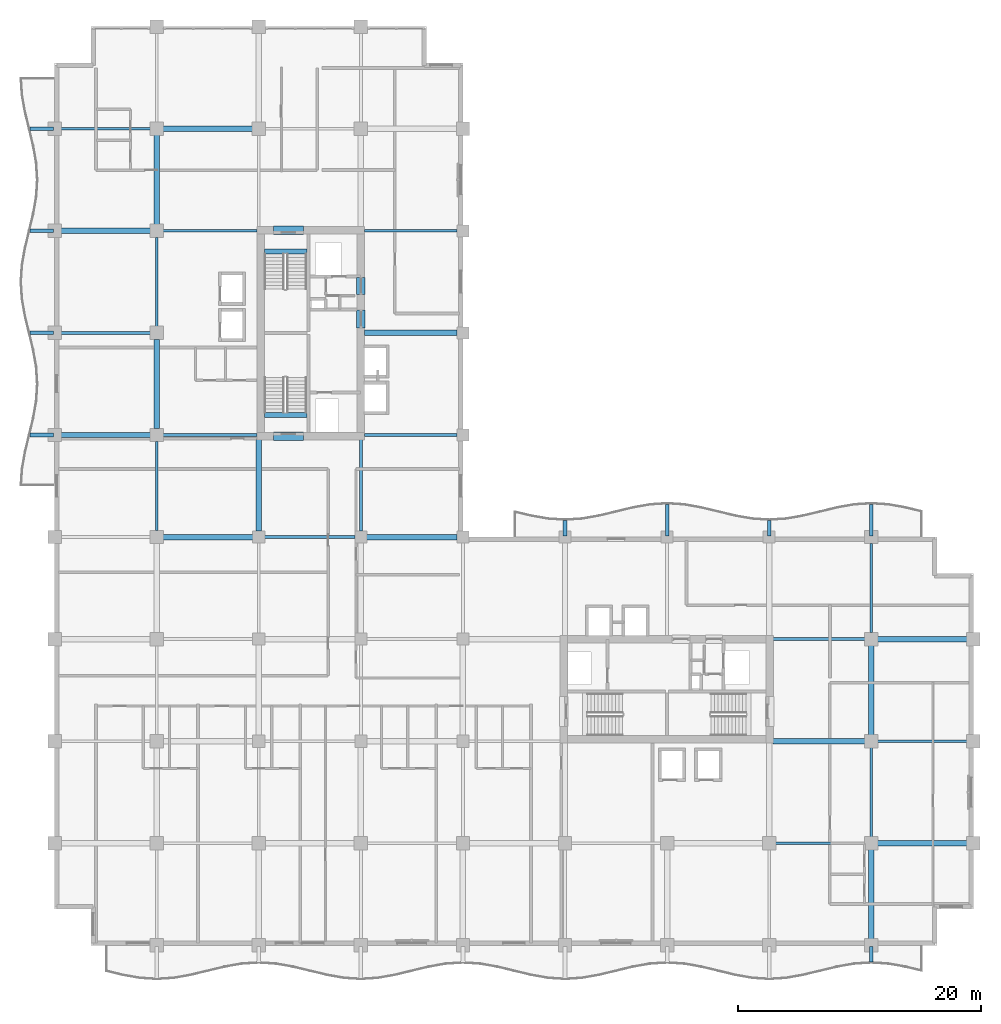
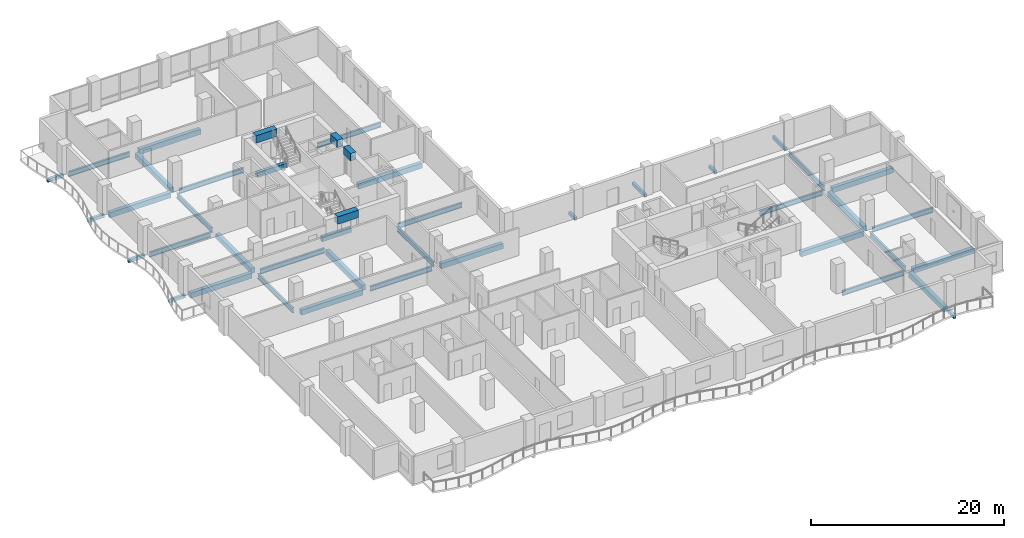
# One storey, part 2 of 18: 44 beams.
"""IFC4 building model written with IfcOpenShell, lengths in metres."""

from ifc_helpers import new_model, si_unit, direction, frame, origin, origin_2d, place, context, subcontext, project, spatial, rectangle, i_section, extrude, material, material_profile, profile_set, type_object, element, save


model = new_model("IFC4")

# Units and contexts
model_context = context("Model", 3, precision=1e-05, world=origin(), true_north=direction((0.0, 1.0)))
body_context = subcontext(model_context, "Body", "Model", "MODEL_VIEW")
ifc_project = project(units=[si_unit("LENGTHUNIT", "METRE"), si_unit("AREAUNIT", "SQUARE_METRE"), si_unit("VOLUMEUNIT", "CUBIC_METRE"), si_unit("PLANEANGLEUNIT", "RADIAN"), si_unit("MASSUNIT", "GRAM", prefix="KILO")], contexts=[model_context])

# Site, building, storey
site_placement = place(None, origin())
site = spatial("IfcSite", under=ifc_project, at=site_placement, CompositionType="ELEMENT")
building_placement = place(site_placement, origin())
building = spatial("IfcBuilding", under=site, at=building_placement, Name="Koriwani Terraces Tower", CompositionType="ELEMENT")
storey_placement = place(building_placement, frame((0.0, 0.0, 205.0)))
storey = spatial("IfcBuildingStorey", under=building, at=storey_placement, Name="L50", CompositionType="ELEMENT", Elevation=205.0)

# Beams
ifc_material_1 = material(Name="Concrete C40/50", Category="concrete")
ifc_material_profile_1 = material_profile(ifc_material_1, rectangle(XDim=0.300048828125, YDim=0.39990234375, at=origin_2d()), Name="Concrete C40/50", Category="LoadBearing")
ifc_profile_set_1 = profile_set([ifc_material_profile_1], Name="Concrete C40/50")
beam_type_1 = type_object("IfcBeamType", Name="BEAM_RC_BALCONY_RIB_300X400", PredefinedType="JOIST", material=ifc_profile_set_1)
beam_1_placement = place(storey_placement, frame((67.199951171875, -1.35009765625, -0.429931640625), z_axis=(0.0, 1.0, 0.0), x_axis=(-1.0, 0.0, 0.0)))
element("IfcBeam", 1, at=beam_1_placement, inside=storey, type_object=beam_type_1, Name="L50 Balcony Bracket Rib S-8", PredefinedType="JOIST", context=body_context, shape_type="SweptSolid", body=[
    extrude(rectangle(XDim=0.300048828125, YDim=0.39990234375, at=origin_2d()), origin(), (0.0, 0.0, 1.0), 1.25),
])
for number, where, z_axis, x_axis, name in (
    (2, (-2.02490234375, 42.0, -0.429931640625), (1.0, 0.0, 0.0), (0.0, 1.0, 0.0), "L50 Balcony Bracket Rib W-1"),
    (3, (-2.02490234375, 50.39990234375, -0.429931640625), (1.0, 0.0, 0.0), (0.0, 1.0, 0.0), "L50 Balcony Bracket Rib W-2"),
    (4, (-2.02490234375, 58.800048828125, -0.429931640625), (1.0, 0.0, 0.0), (0.0, 1.0, 0.0), "L50 Balcony Bracket Rib W-3"),
    (5, (-2.02490234375, 67.199951171875, -0.429931640625), (1.0, 0.0, 0.0), (0.0, 1.0, 0.0), "L50 Balcony Bracket Rib W-4"),
):
    element("IfcBeam", number, at=place(storey_placement, frame(where, z_axis=z_axis, x_axis=x_axis)), inside=storey, type_object=beam_type_1, Name=name, PredefinedType="JOIST", context=body_context, shape_type="SweptSolid", body=[
        extrude(rectangle(XDim=0.300048828125, YDim=0.39990234375, at=origin_2d()), origin(), (0.0, 0.0, 1.0), 1.9248046875),
    ])
beam_2_placement = place(storey_placement, frame((42.0, 33.699951171875, -0.429931640625), z_axis=(0.0, 1.0, 0.0), x_axis=(-1.0, 0.0, 0.0)))
element("IfcBeam", 6, at=beam_2_placement, inside=storey, type_object=beam_type_1, Name="L50 Balcony Bracket Rib NE-1", PredefinedType="JOIST", context=body_context, shape_type="SweptSolid", body=[
    extrude(rectangle(XDim=0.300048828125, YDim=0.39990234375, at=origin_2d()), origin(), (0.0, 0.0, 1.0), 1.25),
])
beam_3_placement = place(storey_placement, frame((50.39990234375, 33.699951171875, -0.429931640625), z_axis=(0.0, 1.0, 0.0), x_axis=(-1.0, 0.0, 0.0)))
element("IfcBeam", 7, at=beam_3_placement, inside=storey, type_object=beam_type_1, Name="L50 Balcony Bracket Rib NE-2", PredefinedType="JOIST", context=body_context, shape_type="SweptSolid", body=[
    extrude(rectangle(XDim=0.300048828125, YDim=0.39990234375, at=origin_2d()), origin(), (0.0, 0.0, 1.0), 2.60009765625),
])
beam_4_placement = place(storey_placement, frame((58.800048828125, 33.699951171875, -0.429931640625), z_axis=(0.0, 1.0, 0.0), x_axis=(-1.0, 0.0, 0.0)))
element("IfcBeam", 8, at=beam_4_placement, inside=storey, type_object=beam_type_1, Name="L50 Balcony Bracket Rib NE-3", PredefinedType="JOIST", context=body_context, shape_type="SweptSolid", body=[
    extrude(rectangle(XDim=0.300048828125, YDim=0.39990234375, at=origin_2d()), origin(), (0.0, 0.0, 1.0), 1.25),
])
beam_5_placement = place(storey_placement, frame((67.199951171875, 33.699951171875, -0.429931640625), z_axis=(0.0, 1.0, 0.0), x_axis=(-1.0, 0.0, 0.0)))
element("IfcBeam", 9, at=beam_5_placement, inside=storey, type_object=beam_type_1, Name="L50 Balcony Bracket Rib NE-4", PredefinedType="JOIST", context=body_context, shape_type="SweptSolid", body=[
    extrude(rectangle(XDim=0.300048828125, YDim=0.39990234375, at=origin_2d()), origin(), (0.0, 0.0, 1.0), 2.60009765625),
])
ifc_material_2 = material(Name="Concrete C60/75", Category="concrete")
ifc_material_profile_2 = material_profile(ifc_material_2, rectangle(XDim=0.699951171875, YDim=0.949951171875, at=origin_2d()), Name="Concrete C60/75", Category="LoadBearing")
ifc_profile_set_2 = profile_set([ifc_material_profile_2], Name="Concrete C60/75")
beam_type_2 = type_object("IfcBeamType", Name="BEAM_RC_COUPLING_700X950", PredefinedType="LINTEL", material=ifc_profile_set_2)
beam_6_placement = place(storey_placement, frame((25.199951171875, 50.800048828125, 2.9951171875), z_axis=(0.0, 1.0, 0.0), x_axis=(-1.0, 0.0, 0.0)))
element("IfcBeam", 10, at=beam_6_placement, inside=storey, type_object=beam_type_2, Name="L50 Core Coupling Lintel Beam WE1", PredefinedType="LINTEL", context=body_context, shape_type="SweptSolid", body=[
    extrude(rectangle(XDim=0.699951171875, YDim=0.949951171875, at=origin_2d()), origin(), (0.0, 0.0, 1.0), 1.47998046875),
])
beam_7_placement = place(storey_placement, frame((25.199951171875, 53.550048828125, 2.9951171875), z_axis=(0.0, 1.0, 0.0), x_axis=(-1.0, 0.0, 0.0)))
element("IfcBeam", 11, at=beam_7_placement, inside=storey, type_object=beam_type_2, Name="L50 Core Coupling Lintel Beam WE2", PredefinedType="LINTEL", context=body_context, shape_type="SweptSolid", body=[
    extrude(rectangle(XDim=0.699951171875, YDim=0.949951171875, at=origin_2d()), origin(), (0.0, 0.0, 1.0), 1.39990234375),
])
for number, where, z_axis, x_axis, name in (
    (12, (18.0, 41.89990234375, 2.9951171875), (1.0, 0.0, 0.0), (0.0, 1.0, 0.0), "L50 Core Coupling Lintel Beam WS"),
    (13, (18.0, 58.85009765625, 2.9951171875), (1.0, 0.0, 0.0), (0.0, 1.0, 0.0), "L50 Core Coupling Lintel Beam WN"),
):
    element("IfcBeam", number, at=place(storey_placement, frame(where, z_axis=z_axis, x_axis=x_axis)), inside=storey, type_object=beam_type_2, Name=name, PredefinedType="LINTEL", context=body_context, shape_type="SweptSolid", body=[
        extrude(rectangle(XDim=0.699951171875, YDim=0.949951171875, at=origin_2d()), origin(), (0.0, 0.0, 1.0), 2.5),
    ])
ifc_material_profile_3 = material_profile(ifc_material_1, rectangle(XDim=0.39990234375, YDim=0.60009765625, at=origin_2d()), Name="Concrete C40/50", Category="LoadBearing")
ifc_profile_set_3 = profile_set([ifc_material_profile_3], Name="Concrete C40/50")
beam_type_3 = type_object("IfcBeamType", Name="BEAM_RC_GRID_400X600", PredefinedType="BEAM", material=ifc_profile_set_3)
for number, where, z_axis, x_axis, name in (
    (14, (17.25, 43.655029296875, -0.300048828125), (1.0, 0.0, 0.0), (0.0, 1.0, 0.0), "L50 Stairwell Header Trimmer Beam ST-W1"),
    (15, (17.25, 57.094970703125, -0.300048828125), (1.0, 0.0, 0.0), (0.0, 1.0, 0.0), "L50 Stairwell Header Trimmer Beam ST-W2"),
):
    element("IfcBeam", number, at=place(storey_placement, frame(where, z_axis=z_axis, x_axis=x_axis)), inside=storey, type_object=beam_type_3, Name=name, PredefinedType="BEAM", context=body_context, shape_type="SweptSolid", body=[
        extrude(rectangle(XDim=0.39990234375, YDim=0.60009765625, at=origin_2d()), origin(), (0.0, 0.0, 1.0), 3.5),
    ])
ifc_material_3 = material(Name="Concrete C50/60", Category="concrete")
ifc_material_profile_4 = material_profile(ifc_material_3, rectangle(XDim=0.449951171875, YDim=0.64990234375, at=origin_2d()), Name="Concrete C50/60", Category="LoadBearing")
ifc_profile_set_4 = profile_set([ifc_material_profile_4], Name="Concrete C50/60")
beam_type_4 = type_object("IfcBeamType", Name="BEAM_RC_GRID_450X650", PredefinedType="BEAM", material=ifc_profile_set_4)
beam_8_placement = place(storey_placement, frame((67.72998046875, 8.39990234375, -0.554931640625), z_axis=(1.0, 0.0, 0.0), x_axis=(0.0, 1.0, 0.0)))
element("IfcBeam", 16, at=beam_8_placement, inside=storey, type_object=beam_type_4, Name="L50 Grid Beam B (67.2-75.6m)", PredefinedType="BEAM", context=body_context, shape_type="SweptSolid", body=[
    extrude(rectangle(XDim=0.449951171875, YDim=0.64990234375, at=origin_2d()), origin(), (0.0, 0.0, 1.0), 7.340087890625),
])
beam_9_placement = place(storey_placement, frame((59.1298828125, 16.800048828125, -0.554931640625), z_axis=(1.0, 0.0, 0.0), x_axis=(0.0, 1.0, 0.0)))
element("IfcBeam", 17, at=beam_9_placement, inside=storey, type_object=beam_type_4, Name="L50 Grid Beam C (58.8-67.2m)", PredefinedType="BEAM", context=body_context, shape_type="SweptSolid", body=[
    extrude(rectangle(XDim=0.449951171875, YDim=0.64990234375, at=origin_2d()), origin(), (0.0, 0.0, 1.0), 7.5400390625),
])
beam_10_placement = place(storey_placement, frame((67.72998046875, 25.199951171875, -0.554931640625), z_axis=(1.0, 0.0, 0.0), x_axis=(0.0, 1.0, 0.0)))
element("IfcBeam", 18, at=beam_10_placement, inside=storey, type_object=beam_type_4, Name="L50 Grid Beam D (67.2-75.6m)", PredefinedType="BEAM", context=body_context, shape_type="SweptSolid", body=[
    extrude(rectangle(XDim=0.449951171875, YDim=0.64990234375, at=origin_2d()), origin(), (0.0, 0.0, 1.0), 7.340087890625),
])
beam_11_placement = place(storey_placement, frame((8.929931640625, 33.60009765625, -0.554931640625), z_axis=(1.0, 0.0, 0.0), x_axis=(0.0, 1.0, 0.0)))
element("IfcBeam", 19, at=beam_11_placement, inside=storey, type_object=beam_type_4, Name="L50 Grid Beam E (8.4-16.8m)", PredefinedType="BEAM", context=body_context, shape_type="SweptSolid", body=[
    extrude(rectangle(XDim=0.449951171875, YDim=0.64990234375, at=origin_2d()), origin(), (0.0, 0.0, 1.0), 7.39013671875),
])
beam_12_placement = place(storey_placement, frame((25.679931640625, 33.60009765625, -0.554931640625), z_axis=(1.0, 0.0, 0.0), x_axis=(0.0, 1.0, 0.0)))
element("IfcBeam", 20, at=beam_12_placement, inside=storey, type_object=beam_type_4, Name="L50 Grid Beam E (25.2-33.6m)", PredefinedType="BEAM", context=body_context, shape_type="SweptSolid", body=[
    extrude(rectangle(XDim=0.449951171875, YDim=0.64990234375, at=origin_2d()), origin(), (0.0, 0.0, 1.0), 7.440185546875),
])
beam_13_placement = place(storey_placement, frame((0.530029296875, 42.0, -0.554931640625), z_axis=(1.0, 0.0, 0.0), x_axis=(0.0, 1.0, 0.0)))
element("IfcBeam", 21, at=beam_13_placement, inside=storey, type_object=beam_type_4, Name="L50 Grid Beam F (0.0-8.4m)", PredefinedType="BEAM", context=body_context, shape_type="SweptSolid", body=[
    extrude(rectangle(XDim=0.449951171875, YDim=0.64990234375, at=origin_2d()), origin(), (0.0, 0.0, 1.0), 7.340087890625),
])
beam_14_placement = place(storey_placement, frame((25.47998046875, 50.39990234375, -0.554931640625), z_axis=(1.0, 0.0, 0.0), x_axis=(0.0, 1.0, 0.0)))
element("IfcBeam", 22, at=beam_14_placement, inside=storey, type_object=beam_type_4, Name="L50 Grid Beam G (25.2-33.6m)", PredefinedType="BEAM", context=body_context, shape_type="SweptSolid", body=[
    extrude(rectangle(XDim=0.449951171875, YDim=0.64990234375, at=origin_2d()), origin(), (0.0, 0.0, 1.0), 7.64013671875),
])
for number, where, z_axis, x_axis, name in (
    (23, (0.530029296875, 58.800048828125, -0.554931640625), (1.0, 0.0, 0.0), (0.0, 1.0, 0.0), "L50 Grid Beam H (0.0-8.4m)"),
    (24, (8.929931640625, 67.199951171875, -0.554931640625), (1.0, 0.0, 0.0), (0.0, 1.0, 0.0), "L50 Grid Beam I (8.4-16.8m)"),
    (25, (8.39990234375, 42.530029296875, -0.554931640625), (0.0, 1.0, 0.0), (-1.0, 0.0, 0.0), "L50 Grid Beam 2 (42.0-50.4m)"),
):
    element("IfcBeam", number, at=place(storey_placement, frame(where, z_axis=z_axis, x_axis=x_axis)), inside=storey, type_object=beam_type_4, Name=name, PredefinedType="BEAM", context=body_context, shape_type="SweptSolid", body=[
        extrude(rectangle(XDim=0.449951171875, YDim=0.64990234375, at=origin_2d()), origin(), (0.0, 0.0, 1.0), 7.340087890625),
    ])
beam_15_placement = place(storey_placement, frame((8.39990234375, 59.330078125, -0.554931640625), z_axis=(0.0, 1.0, 0.0), x_axis=(-1.0, 0.0, 0.0)))
element("IfcBeam", 26, at=beam_15_placement, inside=storey, type_object=beam_type_4, Name="L50 Grid Beam 2 (58.8-67.2m)", PredefinedType="BEAM", context=body_context, shape_type="SweptSolid", body=[
    extrude(rectangle(XDim=0.449951171875, YDim=0.64990234375, at=origin_2d()), origin(), (0.0, 0.0, 1.0), 7.33984375),
])
beam_16_placement = place(storey_placement, frame((16.800048828125, 34.080078125, -0.554931640625), z_axis=(0.0, 1.0, 0.0), x_axis=(-1.0, 0.0, 0.0)))
element("IfcBeam", 27, at=beam_16_placement, inside=storey, type_object=beam_type_4, Name="L50 Grid Beam 3 (33.6-42.0m)", PredefinedType="BEAM", context=body_context, shape_type="SweptSolid", body=[
    extrude(rectangle(XDim=0.449951171875, YDim=0.64990234375, at=origin_2d()), origin(), (0.0, 0.0, 1.0), 7.5400390625),
])
beam_17_placement = place(storey_placement, frame((67.199951171875, 0.530029296875, -0.554931640625), z_axis=(0.0, 1.0, 0.0), x_axis=(-1.0, 0.0, 0.0)))
element("IfcBeam", 28, at=beam_17_placement, inside=storey, type_object=beam_type_4, Name="L50 Grid Beam 9 (0.0-8.4m)", PredefinedType="BEAM", context=body_context, shape_type="SweptSolid", body=[
    extrude(rectangle(XDim=0.449951171875, YDim=0.64990234375, at=origin_2d()), origin(), (0.0, 0.0, 1.0), 7.340087890625),
])
beam_18_placement = place(storey_placement, frame((67.199951171875, 17.330078125, -0.554931640625), z_axis=(0.0, 1.0, 0.0), x_axis=(-1.0, 0.0, 0.0)))
element("IfcBeam", 29, at=beam_18_placement, inside=storey, type_object=beam_type_4, Name="L50 Grid Beam 9 (16.8-25.2m)", PredefinedType="BEAM", context=body_context, shape_type="SweptSolid", body=[
    extrude(rectangle(XDim=0.449951171875, YDim=0.64990234375, at=origin_2d()), origin(), (0.0, 0.0, 1.0), 7.33984375),
])
ifc_material_4 = material(Name="Steel ASTM A572 Grade 50", Category="steel")
ifc_material_profile_5 = material_profile(ifc_material_4, i_section(OverallWidth=0.23095703125, OverallDepth=0.616943359375, WebThickness=0.015380859375, FlangeThickness=0.0244140625, at=origin_2d()), Name="Steel ASTM A572 Grade 50", Category="LoadBearing")
ifc_profile_set_5 = profile_set([ifc_material_profile_5], Name="Steel ASTM A572 Grade 50")
beam_type_5 = type_object("IfcBeamType", Name="STEEL_BEAM_W610X195", PredefinedType="BEAM", material=ifc_profile_set_5)
beam_19_placement = place(storey_placement, frame((59.330078125, 8.39990234375, -0.53857421875), z_axis=(1.0, 0.0, 0.0), x_axis=(0.0, 1.0, 0.0)))
element("IfcBeam", 30, at=beam_19_placement, inside=storey, type_object=beam_type_5, Name="L50 Grid Beam B (58.8-67.2m)", PredefinedType="BEAM", context=body_context, shape_type="SweptSolid", body=[
    extrude(i_section(OverallWidth=0.23095703125, OverallDepth=0.616943359375, WebThickness=0.015380859375, FlangeThickness=0.0244140625, at=origin_2d()), origin(), (0.0, 0.0, 1.0), 7.33984375),
])
beam_20_placement = place(storey_placement, frame((67.72998046875, 16.800048828125, -0.53857421875), z_axis=(1.0, 0.0, 0.0), x_axis=(0.0, 1.0, 0.0)))
element("IfcBeam", 31, at=beam_20_placement, inside=storey, type_object=beam_type_5, Name="L50 Grid Beam C (67.2-75.6m)", PredefinedType="BEAM", context=body_context, shape_type="SweptSolid", body=[
    extrude(i_section(OverallWidth=0.23095703125, OverallDepth=0.616943359375, WebThickness=0.015380859375, FlangeThickness=0.0244140625, at=origin_2d()), origin(), (0.0, 0.0, 1.0), 7.340087890625),
])
beam_21_placement = place(storey_placement, frame((59.1298828125, 25.199951171875, -0.53857421875), z_axis=(1.0, 0.0, 0.0), x_axis=(0.0, 1.0, 0.0)))
element("IfcBeam", 32, at=beam_21_placement, inside=storey, type_object=beam_type_5, Name="L50 Grid Beam D (58.8-67.2m)", PredefinedType="BEAM", context=body_context, shape_type="SweptSolid", body=[
    extrude(i_section(OverallWidth=0.23095703125, OverallDepth=0.616943359375, WebThickness=0.015380859375, FlangeThickness=0.0244140625, at=origin_2d()), origin(), (0.0, 0.0, 1.0), 7.5400390625),
])
beam_22_placement = place(storey_placement, frame((17.280029296875, 33.60009765625, -0.53857421875), z_axis=(1.0, 0.0, 0.0), x_axis=(0.0, 1.0, 0.0)))
element("IfcBeam", 33, at=beam_22_placement, inside=storey, type_object=beam_type_5, Name="L50 Grid Beam E (16.8-25.2m)", PredefinedType="BEAM", context=body_context, shape_type="SweptSolid", body=[
    extrude(i_section(OverallWidth=0.23095703125, OverallDepth=0.616943359375, WebThickness=0.015380859375, FlangeThickness=0.0244140625, at=origin_2d()), origin(), (0.0, 0.0, 1.0), 7.43994140625),
])
beam_23_placement = place(storey_placement, frame((8.929931640625, 42.0, -0.53857421875), z_axis=(1.0, 0.0, 0.0), x_axis=(0.0, 1.0, 0.0)))
element("IfcBeam", 34, at=beam_23_placement, inside=storey, type_object=beam_type_5, Name="L50 Grid Beam F (8.4-16.8m)", PredefinedType="BEAM", context=body_context, shape_type="SweptSolid", body=[
    extrude(i_section(OverallWidth=0.23095703125, OverallDepth=0.616943359375, WebThickness=0.015380859375, FlangeThickness=0.0244140625, at=origin_2d()), origin(), (0.0, 0.0, 1.0), 7.739990234375),
])
beam_24_placement = place(storey_placement, frame((25.47998046875, 42.0, -0.53857421875), z_axis=(1.0, 0.0, 0.0), x_axis=(0.0, 1.0, 0.0)))
element("IfcBeam", 35, at=beam_24_placement, inside=storey, type_object=beam_type_5, Name="L50 Grid Beam F (25.2-33.6m)", PredefinedType="BEAM", context=body_context, shape_type="SweptSolid", body=[
    extrude(i_section(OverallWidth=0.23095703125, OverallDepth=0.616943359375, WebThickness=0.015380859375, FlangeThickness=0.0244140625, at=origin_2d()), origin(), (0.0, 0.0, 1.0), 7.64013671875),
])
beam_25_placement = place(storey_placement, frame((0.530029296875, 50.39990234375, -0.53857421875), z_axis=(1.0, 0.0, 0.0), x_axis=(0.0, 1.0, 0.0)))
element("IfcBeam", 36, at=beam_25_placement, inside=storey, type_object=beam_type_5, Name="L50 Grid Beam G (0.0-8.4m)", PredefinedType="BEAM", context=body_context, shape_type="SweptSolid", body=[
    extrude(i_section(OverallWidth=0.23095703125, OverallDepth=0.616943359375, WebThickness=0.015380859375, FlangeThickness=0.0244140625, at=origin_2d()), origin(), (0.0, 0.0, 1.0), 7.340087890625),
])
beam_26_placement = place(storey_placement, frame((8.929931640625, 58.800048828125, -0.53857421875), z_axis=(1.0, 0.0, 0.0), x_axis=(0.0, 1.0, 0.0)))
element("IfcBeam", 37, at=beam_26_placement, inside=storey, type_object=beam_type_5, Name="L50 Grid Beam H (8.4-16.8m)", PredefinedType="BEAM", context=body_context, shape_type="SweptSolid", body=[
    extrude(i_section(OverallWidth=0.23095703125, OverallDepth=0.616943359375, WebThickness=0.015380859375, FlangeThickness=0.0244140625, at=origin_2d()), origin(), (0.0, 0.0, 1.0), 7.739990234375),
])
beam_27_placement = place(storey_placement, frame((25.47998046875, 58.800048828125, -0.53857421875), z_axis=(1.0, 0.0, 0.0), x_axis=(0.0, 1.0, 0.0)))
element("IfcBeam", 38, at=beam_27_placement, inside=storey, type_object=beam_type_5, Name="L50 Grid Beam H (25.2-33.6m)", PredefinedType="BEAM", context=body_context, shape_type="SweptSolid", body=[
    extrude(i_section(OverallWidth=0.23095703125, OverallDepth=0.616943359375, WebThickness=0.015380859375, FlangeThickness=0.0244140625, at=origin_2d()), origin(), (0.0, 0.0, 1.0), 7.64013671875),
])
for number, where, z_axis, x_axis, name in (
    (39, (0.530029296875, 67.199951171875, -0.53857421875), (1.0, 0.0, 0.0), (0.0, 1.0, 0.0), "L50 Grid Beam I (0.0-8.4m)"),
    (40, (8.39990234375, 34.1298828125, -0.53857421875), (0.0, 1.0, 0.0), (-1.0, 0.0, 0.0), "L50 Grid Beam 2 (33.6-42.0m)"),
    (41, (8.39990234375, 50.929931640625, -0.53857421875), (0.0, 1.0, 0.0), (-1.0, 0.0, 0.0), "L50 Grid Beam 2 (50.4-58.8m)"),
):
    element("IfcBeam", number, at=place(storey_placement, frame(where, z_axis=z_axis, x_axis=x_axis)), inside=storey, type_object=beam_type_5, Name=name, PredefinedType="BEAM", context=body_context, shape_type="SweptSolid", body=[
        extrude(i_section(OverallWidth=0.23095703125, OverallDepth=0.616943359375, WebThickness=0.015380859375, FlangeThickness=0.0244140625, at=origin_2d()), origin(), (0.0, 0.0, 1.0), 7.340087890625),
    ])
beam_28_placement = place(storey_placement, frame((25.199951171875, 34.080078125, -0.53857421875), z_axis=(0.0, 1.0, 0.0), x_axis=(-1.0, 0.0, 0.0)))
element("IfcBeam", 42, at=beam_28_placement, inside=storey, type_object=beam_type_5, Name="L50 Grid Beam 4 (33.6-42.0m)", PredefinedType="BEAM", context=body_context, shape_type="SweptSolid", body=[
    extrude(i_section(OverallWidth=0.23095703125, OverallDepth=0.616943359375, WebThickness=0.015380859375, FlangeThickness=0.0244140625, at=origin_2d()), origin(), (0.0, 0.0, 1.0), 7.5400390625),
])
for number, where, z_axis, x_axis, name in (
    (43, (67.199951171875, 8.929931640625, -0.53857421875), (0.0, 1.0, 0.0), (-1.0, 0.0, 0.0), "L50 Grid Beam 9 (8.4-16.8m)"),
    (44, (67.199951171875, 25.72998046875, -0.53857421875), (0.0, 1.0, 0.0), (-1.0, 0.0, 0.0), "L50 Grid Beam 9 (25.2-33.6m)"),
):
    element("IfcBeam", number, at=place(storey_placement, frame(where, z_axis=z_axis, x_axis=x_axis)), inside=storey, type_object=beam_type_5, Name=name, PredefinedType="BEAM", context=body_context, shape_type="SweptSolid", body=[
        extrude(i_section(OverallWidth=0.23095703125, OverallDepth=0.616943359375, WebThickness=0.015380859375, FlangeThickness=0.0244140625, at=origin_2d()), origin(), (0.0, 0.0, 1.0), 7.340087890625),
    ])

save(model, "model.ifc")
